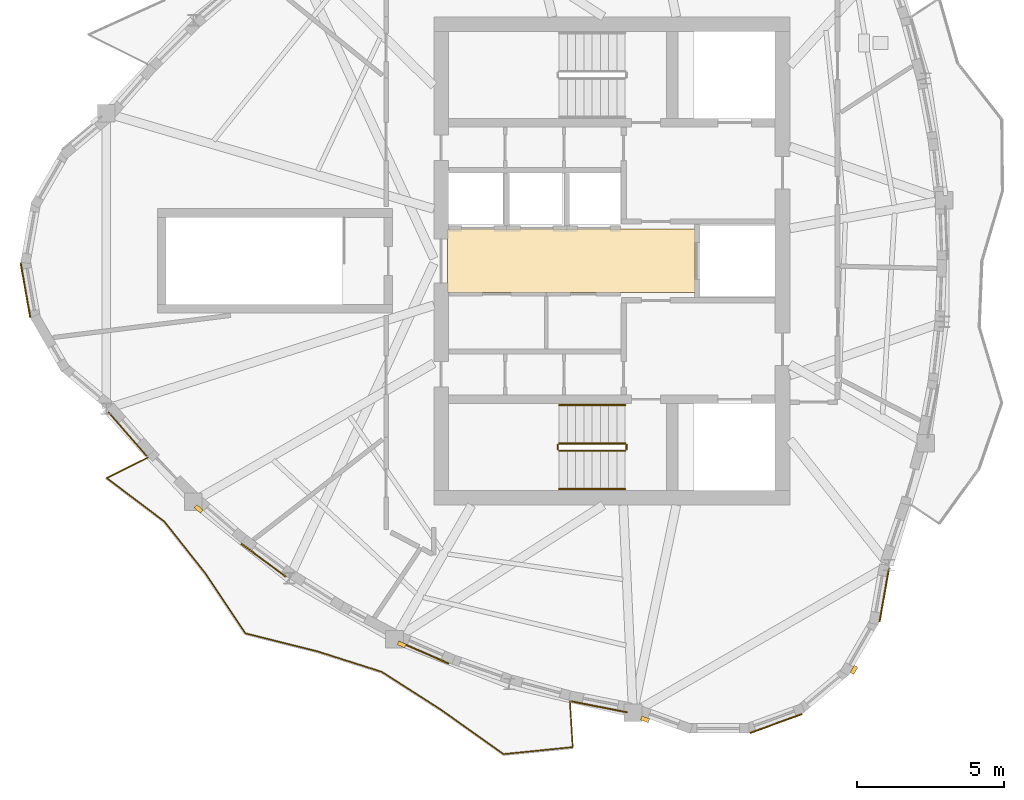
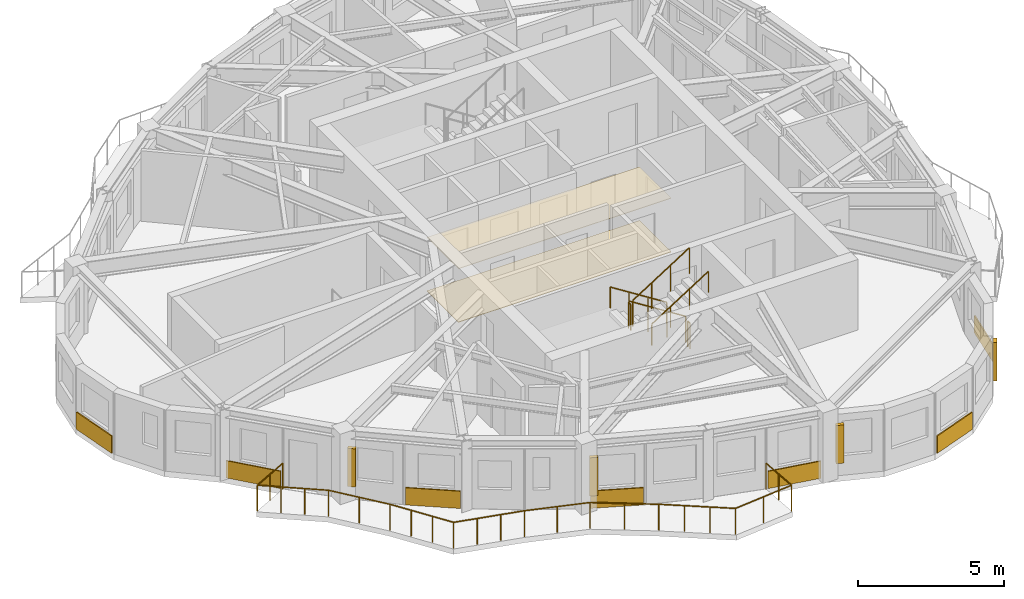
# One storey, part 9 of 12: 9 coverings, 7 railings, 4 shading devices.
"""IFC4 building model written with IfcOpenShell, lengths in metres."""

from ifc_helpers import new_model, si_unit, direction, frame, origin, origin_2d, place, context, subcontext, project, spatial, polyline, rectangle, circle, outline, extrude, source, transform, mapped, material, layer, layer_set, type_object, element, save


model = new_model("IFC4")

# Units and contexts
model_context = context("Model", 3, precision=1e-05, world=origin(), true_north=direction((0.0, 1.0)))
body_context = subcontext(model_context, "Body", "Model", "MODEL_VIEW")
ifc_project = project(units=[si_unit("LENGTHUNIT", "METRE"), si_unit("AREAUNIT", "SQUARE_METRE"), si_unit("VOLUMEUNIT", "CUBIC_METRE"), si_unit("PLANEANGLEUNIT", "RADIAN"), si_unit("MASSUNIT", "GRAM", prefix="KILO")], contexts=[model_context])

# Site, building, storey
site_placement = place(None, origin())
site = spatial("IfcSite", under=ifc_project, at=site_placement, CompositionType="ELEMENT")
building_placement = place(site_placement, origin())
building = spatial("IfcBuilding", under=site, at=building_placement, Name="Qafzar Sky-Pleat Residences", CompositionType="ELEMENT")
storey_placement = place(building_placement, frame((0.0, 0.0, 250.0)))
storey = spatial("IfcBuildingStorey", under=building, at=storey_placement, Name="L75", CompositionType="ELEMENT", Elevation=250.0)

# Coverings
ifc_material_1 = material(Name="Perforated acoustic gypsum board ceiling")
ifc_layer_1 = layer(ifc_material_1, 0.02001953125)
ifc_layer_set_1 = layer_set([ifc_layer_1], Name="Perforated acoustic gypsum board ceiling")
covering_type_1 = type_object("IfcCoveringType", Name="COV-CEIL-ACOUSTIC", PredefinedType="CEILING", material=ifc_layer_set_1)
covering_1_placement = place(storey_placement, frame((0.0, 0.0, 2.239990234375)))
element("IfcCovering", 1, at=covering_1_placement, inside=storey, type_object=covering_type_1, Name="L75 Passenger Lift Lobby Acoustic Ceiling", PredefinedType="CEILING", context=body_context, shape_type="SweptSolid", body=[
    extrude(outline(polyline([(33.179931640625, 24.919921875), (24.77001953125, 24.919921875), (24.77001953125, 27.080078125), (33.179931640625, 27.080078125), (33.179931640625, 24.919921875)])), origin(), (0.0, 0.0, 1.0), 0.02001953125),
])
ifc_material_2 = material(Name="Honed porcelain and Riyadh stone tile flooring", Category="masonry")
ifc_layer_2 = layer(ifc_material_2, 0.02001953125)
ifc_layer_set_2 = layer_set([ifc_layer_2], Name="Honed porcelain and Riyadh stone tile flooring")
covering_type_2 = type_object("IfcCoveringType", Name="COV-FLR-PORCELAIN", PredefinedType="FLOORING", material=ifc_layer_set_2)
covering_2_placement = place(storey_placement, origin())
element("IfcCovering", 2, at=covering_2_placement, inside=storey, type_object=covering_type_2, Name="L75 Passenger Lift Lobby Honed Stone Flooring", PredefinedType="FLOORING", context=body_context, shape_type="SweptSolid", body=[
    extrude(outline(polyline([(33.179931640625, 24.919921875), (24.77001953125, 24.919921875), (24.77001953125, 27.080078125), (33.179931640625, 27.080078125), (33.179931640625, 24.919921875)])), origin(), (0.0, 0.0, 1.0), 0.02001953125),
])

# Shading devices
ifc_material_3 = material(Name="Honed Riyadh limestone solar fin", Category="masonry")
ifc_layer_3 = layer(ifc_material_3, 0.139892578125)
ifc_layer_set_3 = layer_set([ifc_layer_3], Name="Honed Riyadh limestone solar fin")
shading_device_type = type_object("IfcShadingDeviceType", Name="SHD-FIN-STONE", PredefinedType="SHUTTER", material=ifc_layer_set_3)
shared_shape_1 = source(origin(), body_context, "Body", "SweptSolid", [
    extrude(rectangle(XDim=0.139892578125, YDim=0.280029296875, at=origin_2d()), origin(), (0.0, 0.0, 1.0), 1.60009765625),
])
for number, where, z_axis, x_axis, name in (
    (3, (16.306396484375, 17.572265625, 0.599853515625), (0.0, 0.0, 1.0), (-0.65289449512, -0.7574488618, 0.0), "L75 Limestone Solar Fin 9"),
    (4, (23.2080078125, 12.9658203125, 0.599853515625), (0.0, 0.0, 1.0), (-0.398699748058, -0.917081518132, 0.0), "L75 Limestone Solar Fin 13"),
    (5, (31.478515625, 10.422119140625, 0.599853515625), (0.0, 0.0, 1.0), (-0.342010122116, -0.939696268148, 0.0), "L75 Limestone Solar Fin 17"),
    (6, (38.58056640625, 12.10009765625, 0.599853515625), (0.0, 0.0, 1.0), (0.86604422228, -0.499967403994, 0.0), "L75 Limestone Solar Fin 21"),
):
    element("IfcShadingDevice", number, at=place(storey_placement, frame(where, z_axis=z_axis, x_axis=x_axis)), inside=storey, type_object=shading_device_type, Name=name, PredefinedType="SHUTTER", context=body_context, shape_type="MappedRepresentation", body=[
        mapped(shared_shape_1, transform((0.0, 0.0, 0.0), x_axis=(1.0, 0.0, 0.0), y_axis=(0.0, 1.0, 0.0), z_axis=(0.0, 0.0, 1.0), scale=1.0)),
    ])

# Coverings
ifc_material_4 = material(Name="Honed Riyadh Tuwaiq limestone cladding", Category="masonry")
ifc_layer_4 = layer(ifc_material_4, 0.044921875)
ifc_layer_set_4 = layer_set([ifc_layer_4], Name="Honed Riyadh Tuwaiq limestone cladding")
covering_type_3 = type_object("IfcCoveringType", Name="COV-CLAD-STONE", PredefinedType="CLADDING", material=ifc_layer_set_4)
shared_shape_2 = source(origin(), body_context, "Body", "SweptSolid", [
    extrude(rectangle(XDim=1.88134765625, YDim=0.044921875, at=origin_2d()), origin(), (0.0, 0.0, 1.0), 0.719970703125),
])
covering_3_placement = place(storey_placement, frame((10.418212890625, 25.00439453125, 0.02001953125), z_axis=(0.0, 0.0, 1.0), x_axis=(0.173662519465, -0.984805224059, 0.0)))
element("IfcCovering", 7, at=covering_3_placement, inside=storey, type_object=covering_type_3, Name="L75 Riyadh Limestone Spandrel Cladding 4", PredefinedType="CLADDING", context=body_context, shape_type="MappedRepresentation", body=[
    mapped(shared_shape_2, transform((0.0, 0.0, 0.0), x_axis=(1.0, 0.0, 0.0), y_axis=(0.0, 1.0, 0.0), z_axis=(0.0, 0.0, 1.0), scale=1.0)),
])
shared_shape_3 = source(origin(), body_context, "Body", "SweptSolid", [
    extrude(rectangle(XDim=1.8291015625, YDim=0.044921875, at=origin_2d()), origin(), (0.0, 0.0, 1.0), 0.719970703125),
])
covering_4_placement = place(storey_placement, frame((39.609130859375, 14.639892578125, 0.02001953125), z_axis=(0.0, 0.0, 1.0), x_axis=(0.173695508338, 0.984799406165, 0.0)))
element("IfcCovering", 8, at=covering_4_placement, inside=storey, type_object=covering_type_3, Name="L75 Riyadh Limestone Spandrel Cladding 22", PredefinedType="CLADDING", context=body_context, shape_type="MappedRepresentation", body=[
    mapped(shared_shape_3, transform((0.0, 0.0, 0.0), x_axis=(1.0, 0.0, 0.0), y_axis=(0.0, 1.0, 0.0), z_axis=(0.0, 0.0, 1.0), scale=1.0)),
])
shared_shape_4 = source(origin(), body_context, "Body", "SweptSolid", [
    extrude(rectangle(XDim=1.881103515625, YDim=0.044921875, at=origin_2d()), origin(), (0.0, 0.0, 1.0), 0.719970703125),
])
covering_5_placement = place(storey_placement, frame((35.9287109375, 10.27587890625, 0.02001953125), z_axis=(0.0, 0.0, 1.0), x_axis=(0.939709584691, 0.341973531784, 0.0)))
element("IfcCovering", 9, at=covering_5_placement, inside=storey, type_object=covering_type_3, Name="L75 Riyadh Limestone Spandrel Cladding 19", PredefinedType="CLADDING", context=body_context, shape_type="MappedRepresentation", body=[
    mapped(shared_shape_4, transform((0.0, 0.0, 0.0), x_axis=(1.0, 0.0, 0.0), y_axis=(0.0, 1.0, 0.0), z_axis=(0.0, 0.0, 1.0), scale=1.0)),
])
shared_shape_5 = source(origin(), body_context, "Body", "SweptSolid", [
    extrude(rectangle(XDim=1.888916015625, YDim=0.044921875, at=origin_2d()), origin(), (0.0, 0.0, 1.0), 0.719970703125),
])
covering_6_placement = place(storey_placement, frame((18.5107421875, 15.828369140625, 0.02001953125), z_axis=(0.0, 0.0, 1.0), x_axis=(0.803837342424, -0.59484916317, 0.0)))
element("IfcCovering", 10, at=covering_6_placement, inside=storey, type_object=covering_type_3, Name="L75 Riyadh Limestone Spandrel Cladding 10", PredefinedType="CLADDING", context=body_context, shape_type="MappedRepresentation", body=[
    mapped(shared_shape_5, transform((0.0, 0.0, 0.0), x_axis=(1.0, 0.0, 0.0), y_axis=(0.0, 1.0, 0.0), z_axis=(0.0, 0.0, 1.0), scale=1.0)),
])

# Railing
ifc_material_5 = material(Name="Laminated glass and bronze steel balustrade", Category="steel")
railing_type_1 = type_object("IfcRailingType", Name="RAIL-BAL-1100", PredefinedType="BALUSTRADE", material=ifc_material_5)
shared_shape_6 = source(origin(), body_context, "Body", "SweptSolid", [
    extrude(circle(Radius=0.02392578125, at=origin_2d()), frame((0.0, 0.0, 1.076171875), z_axis=(-0.895230305867, -0.445603747131, 0.0), x_axis=(0.445603747131, -0.895230305867, 0.0)), (0.0, 0.0, 1.0), 1.577880859375),
    extrude(circle(Radius=0.02392578125, at=origin_2d()), frame((-1.41259765625, -0.703125, 1.076171875), z_axis=(0.798552100692, -0.601925695148, 0.0), x_axis=(0.601925695148, 0.798552100692, 0.0)), (0.0, 0.0, 1.0), 2.4521484375),
    extrude(circle(Radius=0.02392578125, at=origin_2d()), frame((0.545654296875, -2.17919921875, 1.076171875), z_axis=(0.620424786039, -0.784265952894, 0.0), x_axis=(0.784265952894, 0.620424786039, 0.0)), (0.0, 0.0, 1.0), 2.27099609375),
    extrude(circle(Radius=0.02392578125, at=origin_2d()), frame((1.95458984375, -3.960205078125, 1.076171875), z_axis=(0.553981385976, -0.832529052942, 0.0), x_axis=(0.832529052942, 0.553981385976, 0.0)), (0.0, 0.0, 1.0), 2.430419921875),
    extrude(circle(Radius=0.02392578125, at=origin_2d()), frame((3.301025390625, -5.983642578125, 1.076171875), z_axis=(0.970233529175, -0.242171218076, 0.0), x_axis=(0.242171218076, 0.970233529175, 0.0)), (0.0, 0.0, 1.0), 2.5224609375),
    extrude(circle(Radius=0.02392578125, at=origin_2d()), frame((5.748291015625, -6.594482421875, 1.076171875), z_axis=(0.952948096229, -0.303133511663, 0.0), x_axis=(0.303133511663, 0.952948096229, 0.0)), (0.0, 0.0, 1.0), 2.298583984375),
    extrude(circle(Radius=0.02392578125, at=origin_2d()), frame((7.938720703125, -7.291259765625, 1.076171875), z_axis=(0.842406664623, -0.538842288057, 0.0), x_axis=(0.538842288057, 0.842406664623, 0.0)), (0.0, 0.0, 1.0), 2.359619140625),
    extrude(circle(Radius=0.02392578125, at=origin_2d()), frame((9.926513671875, -8.562744140625, 1.076171875), z_axis=(0.815729715151, -0.578433256149, 0.0), x_axis=(0.578433256149, 0.815729715151, 0.0)), (0.0, 0.0, 1.0), 2.637939453125),
    extrude(circle(Radius=0.02392578125, at=origin_2d()), frame((12.078369140625, -10.088623046875, 1.076171875), z_axis=(0.994919967793, 0.10066905029, 0.0), x_axis=(-0.10066905029, 0.994919967793, 0.0)), (0.0, 0.0, 1.0), 2.364501953125),
    extrude(circle(Radius=0.02392578125, at=origin_2d()), frame((14.430908203125, -9.8505859375, 1.076171875), z_axis=(-0.061732907976, 0.99809270515, 0.0), x_axis=(-0.99809270515, -0.061732907976, 0.0)), (0.0, 0.0, 1.0), 1.577880859375),
    extrude(circle(Radius=0.02099609375, at=origin_2d()), origin(), (0.0, 0.0, 1.0), 1.052001953125),
    extrude(circle(Radius=0.02099609375, at=origin_2d()), frame((-0.706298828125, -0.3515625, 0.0)), (0.0, 0.0, 1.0), 1.052001953125),
    extrude(circle(Radius=0.02099609375, at=origin_2d()), frame((-1.41259765625, -0.703125, 0.0)), (0.0, 0.0, 1.0), 1.052001953125),
    extrude(circle(Radius=0.02099609375, at=origin_2d()), frame((-0.759765625, -1.195068359375, 0.0)), (0.0, 0.0, 1.0), 1.052001953125),
    extrude(circle(Radius=0.02099609375, at=origin_2d()), frame((-0.107177734375, -1.687255859375, 0.0)), (0.0, 0.0, 1.0), 1.052001953125),
    extrude(circle(Radius=0.02099609375, at=origin_2d()), frame((0.545654296875, -2.17919921875, 0.0)), (0.0, 0.0, 1.0), 1.052001953125),
    extrude(circle(Radius=0.02099609375, at=origin_2d()), frame((1.25, -3.06982421875, 0.0)), (0.0, 0.0, 1.0), 1.052001953125),
    extrude(circle(Radius=0.02099609375, at=origin_2d()), frame((1.95458984375, -3.960205078125, 0.0)), (0.0, 0.0, 1.0), 1.052001953125),
    extrude(circle(Radius=0.02099609375, at=origin_2d()), frame((2.4033203125, -4.634765625, 0.0)), (0.0, 0.0, 1.0), 1.052001953125),
    extrude(circle(Radius=0.02099609375, at=origin_2d()), frame((2.852294921875, -5.30908203125, 0.0)), (0.0, 0.0, 1.0), 1.052001953125),
    extrude(circle(Radius=0.02099609375, at=origin_2d()), frame((3.301025390625, -5.983642578125, 0.0)), (0.0, 0.0, 1.0), 1.052001953125),
    extrude(circle(Radius=0.02099609375, at=origin_2d()), frame((4.11669921875, -6.187255859375, 0.0)), (0.0, 0.0, 1.0), 1.052001953125),
    extrude(circle(Radius=0.02099609375, at=origin_2d()), frame((4.9326171875, -6.390869140625, 0.0)), (0.0, 0.0, 1.0), 1.052001953125),
    extrude(circle(Radius=0.02099609375, at=origin_2d()), frame((5.748291015625, -6.594482421875, 0.0)), (0.0, 0.0, 1.0), 1.052001953125),
    extrude(circle(Radius=0.02099609375, at=origin_2d()), frame((6.843505859375, -6.94287109375, 0.0)), (0.0, 0.0, 1.0), 1.052001953125),
    extrude(circle(Radius=0.02099609375, at=origin_2d()), frame((7.938720703125, -7.291259765625, 0.0)), (0.0, 0.0, 1.0), 1.052001953125),
    extrude(circle(Radius=0.02099609375, at=origin_2d()), frame((8.9326171875, -7.927001953125, 0.0)), (0.0, 0.0, 1.0), 1.052001953125),
    extrude(circle(Radius=0.02099609375, at=origin_2d()), frame((9.926513671875, -8.562744140625, 0.0)), (0.0, 0.0, 1.0), 1.052001953125),
    extrude(circle(Radius=0.02099609375, at=origin_2d()), frame((10.643798828125, -9.0712890625, 0.0)), (0.0, 0.0, 1.0), 1.052001953125),
    extrude(circle(Radius=0.02099609375, at=origin_2d()), frame((11.361083984375, -9.580078125, 0.0)), (0.0, 0.0, 1.0), 1.052001953125),
    extrude(circle(Radius=0.02099609375, at=origin_2d()), frame((12.078369140625, -10.088623046875, 0.0)), (0.0, 0.0, 1.0), 1.052001953125),
    extrude(circle(Radius=0.02099609375, at=origin_2d()), frame((13.254638671875, -9.9697265625, 0.0)), (0.0, 0.0, 1.0), 1.052001953125),
    extrude(circle(Radius=0.02099609375, at=origin_2d()), frame((14.430908203125, -9.8505859375, 0.0)), (0.0, 0.0, 1.0), 1.052001953125),
    extrude(circle(Radius=0.02099609375, at=origin_2d()), frame((14.38232421875, -9.06298828125, 0.0)), (0.0, 0.0, 1.0), 1.052001953125),
    extrude(circle(Radius=0.02099609375, at=origin_2d()), frame((14.33349609375, -8.275634765625, 0.0)), (0.0, 0.0, 1.0), 1.052001953125),
])
railing_1_placement = place(storey_placement, frame((14.591064453125, 19.325927734375, 0.0)))
element("IfcRailing", 11, at=railing_1_placement, inside=storey, type_object=railing_type_1, Name="L75 Pleated Balcony 3 Balustrade", PredefinedType="BALUSTRADE", context=body_context, shape_type="MappedRepresentation", body=[
    mapped(shared_shape_6, transform((0.0, 0.0, 0.0), x_axis=(1.0, 0.0, 0.0), y_axis=(0.0, 1.0, 0.0), z_axis=(0.0, 0.0, 1.0), scale=1.0)),
])

# Coverings
shared_shape_7 = source(origin(), body_context, "Body", "SweptSolid", [
    extrude(rectangle(XDim=1.982421875, YDim=0.044921875, at=origin_2d()), origin(), (0.0, 0.0, 1.0), 0.719970703125),
])
covering_7_placement = place(storey_placement, frame((13.885986328125, 20.117919921875, 0.02001953125), z_axis=(0.0, 0.0, 1.0), x_axis=(0.657613893378, -0.75335514018, 0.0)))
element("IfcCovering", 12, at=covering_7_placement, inside=storey, type_object=covering_type_3, Name="L75 Riyadh Limestone Spandrel Cladding 7", PredefinedType="CLADDING", context=body_context, shape_type="MappedRepresentation", body=[
    mapped(shared_shape_7, transform((0.0, 0.0, 0.0), x_axis=(1.0, 0.0, 0.0), y_axis=(0.0, 1.0, 0.0), z_axis=(0.0, 0.0, 1.0), scale=1.0)),
])
shared_shape_8 = source(origin(), body_context, "Body", "SweptSolid", [
    extrude(rectangle(XDim=1.82568359375, YDim=0.044921875, at=origin_2d()), origin(), (0.0, 0.0, 1.0), 0.719970703125),
])
covering_8_placement = place(storey_placement, frame((23.9677734375, 12.682373046875, 0.02001953125), z_axis=(0.0, 0.0, 1.0), x_axis=(0.917074758623, -0.39871529579, 0.0)))
element("IfcCovering", 13, at=covering_8_placement, inside=storey, type_object=covering_type_3, Name="L75 Riyadh Limestone Spandrel Cladding 13", PredefinedType="CLADDING", context=body_context, shape_type="MappedRepresentation", body=[
    mapped(shared_shape_8, transform((0.0, 0.0, 0.0), x_axis=(1.0, 0.0, 0.0), y_axis=(0.0, 1.0, 0.0), z_axis=(0.0, 0.0, 1.0), scale=1.0)),
])
shared_shape_9 = source(origin(), body_context, "Body", "SweptSolid", [
    extrude(rectangle(XDim=1.91943359375, YDim=0.044921875, at=origin_2d()), origin(), (0.0, 0.0, 1.0), 0.719970703125),
])
covering_9_placement = place(storey_placement, frame((29.9287109375, 10.842529296875, 0.02001953125), z_axis=(0.0, 0.0, 1.0), x_axis=(0.98122807004, -0.192850912795, 0.0)))
element("IfcCovering", 14, at=covering_9_placement, inside=storey, type_object=covering_type_3, Name="L75 Riyadh Limestone Spandrel Cladding 16", PredefinedType="CLADDING", context=body_context, shape_type="MappedRepresentation", body=[
    mapped(shared_shape_9, transform((0.0, 0.0, 0.0), x_axis=(1.0, 0.0, 0.0), y_axis=(0.0, 1.0, 0.0), z_axis=(0.0, 0.0, 1.0), scale=1.0)),
])

# Railings
ifc_material_6 = material(Name="Painted Steel S355 stair guardrail", Category="steel")
railing_type_2 = type_object("IfcRailingType", Name="RAIL-STAIR-GUARD", PredefinedType="GUARDRAIL", material=ifc_material_6)
shared_shape_10 = source(origin(), body_context, "Body", "SweptSolid", [
    extrude(circle(Radius=0.02392578125, at=origin_2d()), frame((0.0, 0.0, 1.076171875), z_axis=(0.0, -1.0, 0.0), x_axis=(1.0, 0.0, 0.0)), (0.0, 0.0, 1.0), 0.14990234375),
    extrude(circle(Radius=0.02099609375, at=origin_2d()), origin(), (0.0, 0.0, 1.0), 1.052001953125),
    extrude(circle(Radius=0.02099609375, at=origin_2d()), frame((0.0, -0.14990234375, 0.0)), (0.0, 0.0, 1.0), 1.052001953125),
])
for number, where, name in (
    (15, (28.510009765625, 19.75, 1.60009765625), "L75 ST1 stair guard 2"),
    (16, (30.85009765625, 19.75, 0.0), "L75 ST1 stair guard 4"),
):
    element("IfcRailing", number, at=place(storey_placement, frame(where)), inside=storey, type_object=railing_type_2, Name=name, PredefinedType="GUARDRAIL", context=body_context, shape_type="MappedRepresentation", body=[
        mapped(shared_shape_10, transform((0.0, 0.0, 0.0), x_axis=(1.0, 0.0, 0.0), y_axis=(0.0, 1.0, 0.0), z_axis=(0.0, 0.0, 1.0), scale=1.0)),
    ])
shared_shape_11 = source(origin(), body_context, "Body", "SweptSolid", [
    extrude(circle(Radius=0.02392578125, at=origin_2d()), frame((0.0, 0.0, 1.076171875), z_axis=(0.8442293374, 0.0, 0.53598211339), x_axis=(0.0, 1.0, 0.0)), (0.0, 0.0, 1.0), 2.6533203125),
    extrude(circle(Radius=0.02099609375, at=origin_2d()), origin(), (0.0, 0.0, 1.0), 1.052001953125),
    extrude(circle(Radius=0.02099609375, at=origin_2d()), frame((0.74658203125, 0.0, 0.47412109375)), (0.0, 0.0, 1.0), 1.052001953125),
    extrude(circle(Radius=0.02099609375, at=origin_2d()), frame((1.493408203125, 0.0, 0.947998046875)), (0.0, 0.0, 1.0), 1.052001953125),
    extrude(circle(Radius=0.02099609375, at=origin_2d()), frame((2.239990234375, 0.0, 1.422119140625)), (0.0, 0.0, 1.0), 1.052001953125),
])
railing_2_placement = place(storey_placement, frame((28.56005859375, 19.550048828125, 1.77783203125)))
element("IfcRailing", 17, at=railing_2_placement, inside=storey, type_object=railing_type_2, Name="L75 ST1 stair guard 3", PredefinedType="GUARDRAIL", context=body_context, shape_type="MappedRepresentation", body=[
    mapped(shared_shape_11, transform((0.0, 0.0, 0.0), x_axis=(1.0, 0.0, 0.0), y_axis=(0.0, 1.0, 0.0), z_axis=(0.0, 0.0, 1.0), scale=1.0)),
])
ifc_material_7 = material(Name="Brushed stainless steel handrail", Category="steel")
railing_type_3 = type_object("IfcRailingType", Name="RAIL-STAIR-HAND", PredefinedType="HANDRAIL", material=ifc_material_7)
shared_shape_12 = source(origin(), body_context, "Body", "SweptSolid", [
    extrude(circle(Radius=0.02392578125, at=origin_2d()), frame((0.0, 0.0, 0.8759765625), z_axis=(0.8442293374, 0.0, 0.53598211339), x_axis=(0.0, 1.0, 0.0)), (0.0, 0.0, 1.0), 2.6533203125),
    extrude(circle(Radius=0.02099609375, at=origin_2d()), origin(), (0.0, 0.0, 1.0), 0.851806640625),
    extrude(circle(Radius=0.02099609375, at=origin_2d()), frame((0.74658203125, 0.0, 0.47412109375)), (0.0, 0.0, 1.0), 0.851806640625),
    extrude(circle(Radius=0.02099609375, at=origin_2d()), frame((1.493408203125, 0.0, 0.947998046875)), (0.0, 0.0, 1.0), 0.851806640625),
    extrude(circle(Radius=0.02099609375, at=origin_2d()), frame((2.239990234375, 0.0, 1.422119140625)), (0.0, 0.0, 1.0), 0.851806640625),
])
railing_3_placement = place(storey_placement, frame((28.56005859375, 18.25, 1.77783203125)))
element("IfcRailing", 18, at=railing_3_placement, inside=storey, type_object=railing_type_3, Name="L75 ST1 stair handrail 2", PredefinedType="HANDRAIL", context=body_context, shape_type="MappedRepresentation", body=[
    mapped(shared_shape_12, transform((0.0, 0.0, 0.0), x_axis=(1.0, 0.0, 0.0), y_axis=(0.0, 1.0, 0.0), z_axis=(0.0, 0.0, 1.0), scale=1.0)),
])
shared_shape_13 = source(origin(), body_context, "Body", "SweptSolid", [
    extrude(circle(Radius=0.02392578125, at=origin_2d()), frame((0.0, 0.0, 1.076171875), z_axis=(-0.84418770128, 0.0, 0.536047689118), x_axis=(0.0, -1.0, 0.0)), (0.0, 0.0, 1.0), 2.6533203125),
    extrude(circle(Radius=0.02099609375, at=origin_2d()), origin(), (0.0, 0.0, 1.0), 1.052001953125),
    extrude(circle(Radius=0.02099609375, at=origin_2d()), frame((-0.74658203125, 0.0, 0.47412109375)), (0.0, 0.0, 1.0), 1.052001953125),
    extrude(circle(Radius=0.02099609375, at=origin_2d()), frame((-1.493408203125, 0.0, 0.9482421875)), (0.0, 0.0, 1.0), 1.052001953125),
    extrude(circle(Radius=0.02099609375, at=origin_2d()), frame((-2.239990234375, 0.0, 1.42236328125)), (0.0, 0.0, 1.0), 1.052001953125),
])
railing_4_placement = place(storey_placement, frame((30.800048828125, 19.800048828125, 0.177734375)))
element("IfcRailing", 19, at=railing_4_placement, inside=storey, type_object=railing_type_2, Name="L75 ST1 stair guard 1", PredefinedType="GUARDRAIL", context=body_context, shape_type="MappedRepresentation", body=[
    mapped(shared_shape_13, transform((0.0, 0.0, 0.0), x_axis=(1.0, 0.0, 0.0), y_axis=(0.0, 1.0, 0.0), z_axis=(0.0, 0.0, 1.0), scale=1.0)),
])
shared_shape_14 = source(origin(), body_context, "Body", "SweptSolid", [
    extrude(circle(Radius=0.02392578125, at=origin_2d()), frame((0.0, 0.0, 0.8759765625), z_axis=(-0.84418770128, 0.0, 0.536047689118), x_axis=(0.0, -1.0, 0.0)), (0.0, 0.0, 1.0), 2.6533203125),
    extrude(circle(Radius=0.02099609375, at=origin_2d()), origin(), (0.0, 0.0, 1.0), 0.851806640625),
    extrude(circle(Radius=0.02099609375, at=origin_2d()), frame((-0.74658203125, 0.0, 0.47412109375)), (0.0, 0.0, 1.0), 0.851806640625),
    extrude(circle(Radius=0.02099609375, at=origin_2d()), frame((-1.493408203125, 0.0, 0.9482421875)), (0.0, 0.0, 1.0), 0.851806640625),
    extrude(circle(Radius=0.02099609375, at=origin_2d()), frame((-2.239990234375, 0.0, 1.42236328125)), (0.0, 0.0, 1.0), 0.851806640625),
])
railing_5_placement = place(storey_placement, frame((30.800048828125, 21.10009765625, 0.177734375)))
element("IfcRailing", 20, at=railing_5_placement, inside=storey, type_object=railing_type_3, Name="L75 ST1 stair handrail 1", PredefinedType="HANDRAIL", context=body_context, shape_type="MappedRepresentation", body=[
    mapped(shared_shape_14, transform((0.0, 0.0, 0.0), x_axis=(1.0, 0.0, 0.0), y_axis=(0.0, 1.0, 0.0), z_axis=(0.0, 0.0, 1.0), scale=1.0)),
])

save(model, "model.ifc")
